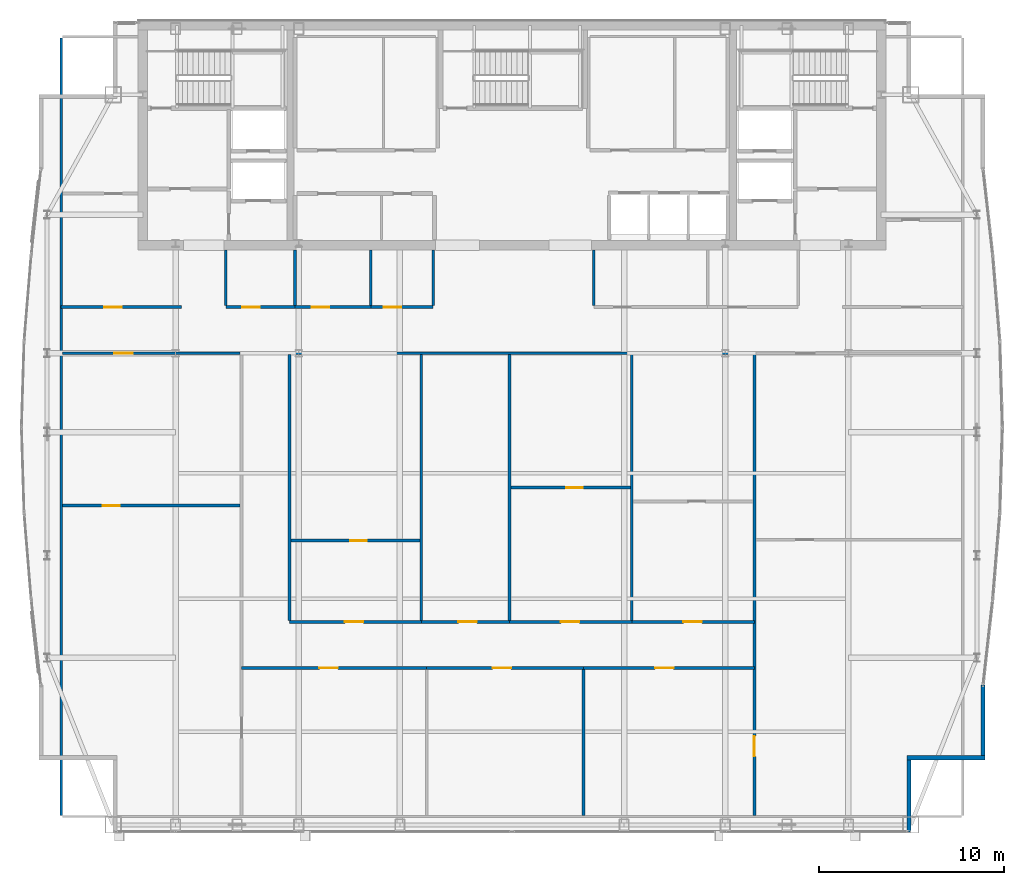
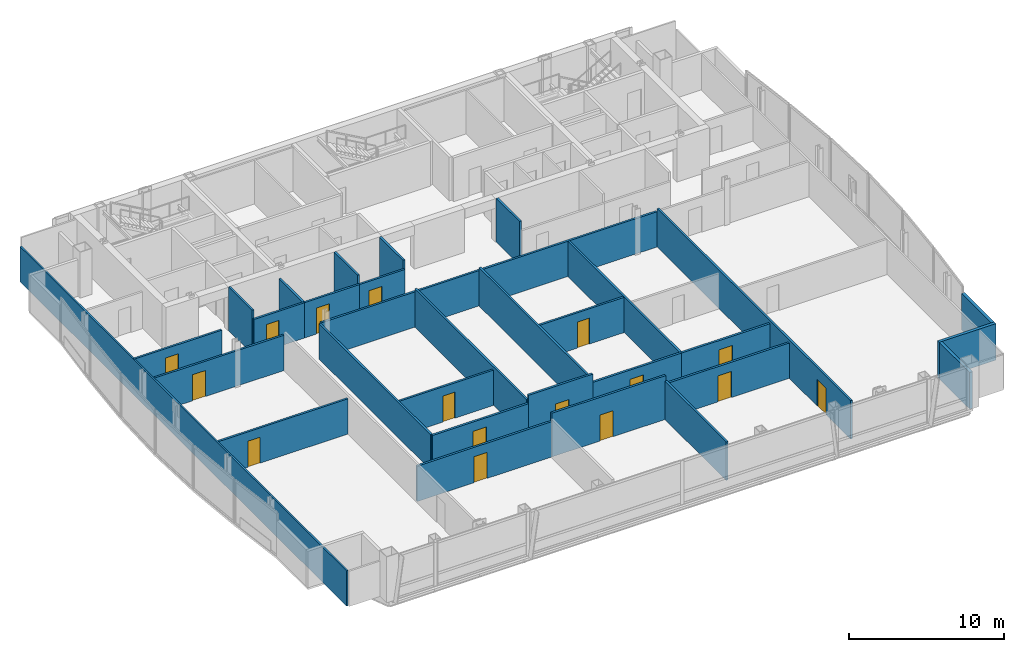
# One storey, part 20 of 25: 31 walls, 16 doors, 16 openings.
"""IFC4 building model written with IfcOpenShell, lengths in metres."""

from ifc_helpers import new_model, si_unit, direction, frame, frame_2d, origin, place, context, subcontext, project, spatial, rectangle, extrude, material, layer, layer_set, type_object, element, fill, save


model = new_model("IFC4")

# Units and contexts
model_context = context("Model", 3, precision=1e-05, world=origin(), true_north=direction((0.0, 1.0)))
body_context = subcontext(model_context, "Body", "Model", "MODEL_VIEW")
ifc_project = project(units=[si_unit("LENGTHUNIT", "METRE"), si_unit("AREAUNIT", "SQUARE_METRE"), si_unit("VOLUMEUNIT", "CUBIC_METRE"), si_unit("PLANEANGLEUNIT", "RADIAN"), si_unit("MASSUNIT", "GRAM", prefix="KILO")], contexts=[model_context])

# Site, building, storey
site_placement = place(None, origin())
site = spatial("IfcSite", under=ifc_project, at=site_placement, CompositionType="ELEMENT")
building_placement = place(site_placement, origin())
building = spatial("IfcBuilding", under=site, at=building_placement, Name="Khoronbel Lancet Exchange", CompositionType="ELEMENT")
storey_placement = place(building_placement, frame((0.0, 0.0, 298.60009765625)))
storey = spatial("IfcBuildingStorey", under=building, at=storey_placement, Name="L77", CompositionType="ELEMENT", Elevation=298.60009765625)

# Walls
ifc_material_1 = material(Name="Precast concrete C40/50", Category="concrete")
ifc_layer_1 = layer(ifc_material_1, 0.25, Name="Precast concrete C40/50")
ifc_layer_set_1 = layer_set([ifc_layer_1], Name="Precast concrete C40/50")
wall_type_1 = type_object("IfcWallType", Name="WL-EXT250", PredefinedType="SOLIDWALL", material=ifc_layer_set_1)
wall_1_placement = place(storey_placement, frame((61.9599609375, 17.72509765625, 0.0), z_axis=(0.0, 0.0, 1.0), x_axis=(0.0, -1.0, 0.0)))
element("IfcWall", 1, at=wall_1_placement, inside=storey, type_object=wall_type_1, Name="Level L77 notched-corner limestone pier 23", PredefinedType="SOLIDWALL", context=body_context, shape_type="SweptSolid", body=[
    extrude(rectangle(XDim=3.8251953125, YDim=0.219970703125, at=frame_2d((1.91259765625, 0.0))), origin(), (0.0, 0.0, 1.0), 2.8798828125),
])
wall_2_placement = place(storey_placement, frame((62.070068359375, 13.7900390625, 0.0), z_axis=(0.0, 0.0, 1.0), x_axis=(-1.0, 0.0, 0.0)))
element("IfcWall", 2, at=wall_2_placement, inside=storey, type_object=wall_type_1, Name="Level L77 notched-corner limestone pier 24", PredefinedType="SOLIDWALL", context=body_context, shape_type="SweptSolid", body=[
    extrude(rectangle(XDim=4.219970703125, YDim=0.219970703125, at=frame_2d((2.10986328125, 0.0))), origin(), (0.0, 0.0, 1.0), 2.8798828125),
])
wall_3_placement = place(storey_placement, frame((57.9599609375, 13.679931640625, 0.0), z_axis=(0.0, 0.0, 1.0), x_axis=(0.0, -1.0, 0.0)))
element("IfcWall", 3, at=wall_3_placement, inside=storey, type_object=wall_type_1, Name="Level L77 notched-corner limestone pier 25", PredefinedType="SOLIDWALL", context=body_context, shape_type="SweptSolid", body=[
    extrude(rectangle(XDim=3.909912109375, YDim=0.219970703125, at=frame_2d((1.955078125, 0.0))), origin(), (0.0, 0.0, 1.0), 2.8798828125),
])
ifc_material_2 = material(Name="Acoustic Metal-Stud & Mineral-Wool Gypsum Partition 120 mm", Category="gypsum")
ifc_layer_2 = layer(ifc_material_2, 0.1201171875, Name="Acoustic Metal-Stud & Mineral-Wool Gypsum Partition 120 mm")
ifc_layer_set_2 = layer_set([ifc_layer_2], Name="Acoustic Metal-Stud & Mineral-Wool Gypsum Partition 120 mm")
wall_type_2 = type_object("IfcWallType", Name="WL-PRT120", PredefinedType="PARTITIONING", material=ifc_layer_set_2)
wall_4_placement = place(storey_placement, frame((20.949951171875, 38.280029296875, 0.0), z_axis=(0.0, 0.0, 1.0), x_axis=(0.0, 1.0, 0.0)))
element("IfcWall", 4, at=wall_4_placement, inside=storey, type_object=wall_type_2, Name="Level L77 interior partition PW-WC-0", PredefinedType="PARTITIONING", context=body_context, shape_type="SweptSolid", body=[
    extrude(rectangle(XDim=3.02001953125, YDim=0.14990234375, at=frame_2d((1.510009765625, 0.0))), origin(), (0.0, 0.0, 1.0), 3.43994140625),
])
wall_5_placement = place(storey_placement, frame((24.699951171875, 38.280029296875, 0.0), z_axis=(0.0, 0.0, 1.0), x_axis=(0.0, 1.0, 0.0)))
element("IfcWall", 5, at=wall_5_placement, inside=storey, type_object=wall_type_2, Name="Level L77 interior partition PW-WC-1", PredefinedType="PARTITIONING", context=body_context, shape_type="SweptSolid", body=[
    extrude(rectangle(XDim=3.02001953125, YDim=0.14990234375, at=frame_2d((1.510009765625, 0.0))), origin(), (0.0, 0.0, 1.0), 2.77978515625),
])
for number, where, z_axis, x_axis, name in (
    (6, (28.800048828125, 38.280029296875, 0.0), (0.0, 0.0, 1.0), (0.0, 1.0, 0.0), "Level L77 interior partition PW-WC-2"),
    (7, (32.179931640625, 38.280029296875, 0.0), (0.0, 0.0, 1.0), (0.0, 1.0, 0.0), "Level L77 interior partition PW-WC-3"),
    (8, (40.8798828125, 38.280029296875, 0.0), (0.0, 0.0, 1.0), (0.0, 1.0, 0.0), "Level L77 interior partition PW-NP-0"),
):
    element("IfcWall", number, at=place(storey_placement, frame(where, z_axis=z_axis, x_axis=x_axis)), inside=storey, type_object=wall_type_2, Name=name, PredefinedType="PARTITIONING", context=body_context, shape_type="SweptSolid", body=[
        extrude(rectangle(XDim=3.02001953125, YDim=0.14990234375, at=frame_2d((1.510009765625, 0.0))), origin(), (0.0, 0.0, 1.0), 3.43994140625),
    ])

# Wall, opening, door
wall_6_placement = place(storey_placement, frame((12.094970703125, 27.449951171875, 0.0), z_axis=(0.0, 0.0, 1.0), x_axis=(1.0, 0.0, 0.0)))
wall_6 = element("IfcWall", 9, at=wall_6_placement, inside=storey, type_object=wall_type_2, Name="Level L77 interior partition PW-Z4-WH", PredefinedType="PARTITIONING", context=body_context, shape_type="SweptSolid", body=[
    extrude(rectangle(XDim=9.625, YDim=0.14990234375, at=frame_2d((4.8125, 0.0))), origin(), (0.0, 0.0, 1.0), 2.77978515625),
])
opening_1_placement = place(wall_6_placement, frame((2.199951171875, 0.0, 0.0)))
opening_1 = element("IfcOpeningElement", 10, at=opening_1_placement, cuts=wall_6, Name="Opening D5", PredefinedType="OPENING", context=body_context, shape_type="SweptSolid", body=[
    extrude(rectangle(XDim=0.89990234375, YDim=2.050048828125, at=frame_2d((0.449951171875, 1.02490234375))), frame((0.0, 0.0849609375, 0.0), z_axis=(0.0, -1.0, 0.0), x_axis=(1.0, 0.0, 0.0)), (0.0, 0.0, 1.0), 0.169921875),
])
ifc_material_3 = material(Name="Acoustic Timber Pantry & Support Door", Category="wood")
door_type_1 = type_object("IfcDoorType", Name="DR-D5", OperationType="NOTDEFINED", PredefinedType="DOOR", material=ifc_material_3)
door_1_placement = place(opening_1_placement, origin())
door_1 = element("IfcDoor", 11, at=door_1_placement, inside=storey, type_object=door_type_1, Name="West lens inner door L77-1", OperationType="SINGLE_SWING_RIGHT", OverallHeight=2.050048828125, OverallWidth=0.89990234375, PredefinedType="DOOR", context=body_context, shape_type="SweptSolid", body=[
    extrude(rectangle(XDim=0.89990234375, YDim=2.050048828125, at=frame_2d((0.449951171875, 1.02490234375))), frame((0.0, 0.02490234375, 0.0), z_axis=(0.0, -1.0, 0.0), x_axis=(1.0, 0.0, 0.0)), (0.0, 0.0, 1.0), 0.050048828125),
])
fill(opening_1, door_1)

wall_7_placement = place(storey_placement, frame((24.47998046875, 25.549560546875, 0.0), z_axis=(0.0, 0.0, 1.0), x_axis=(1.0, 0.0, 0.0)))
wall_7 = element("IfcWall", 12, at=wall_7_placement, inside=storey, type_object=wall_type_2, Name="Level L77 interior partition PW-Z4C-H1", PredefinedType="PARTITIONING", context=body_context, shape_type="SweptSolid", body=[
    extrude(rectangle(XDim=6.97802734375, YDim=0.14990234375, at=frame_2d((3.489013671875, 0.0))), origin(), (0.0, 0.0, 1.0), 2.77978515625),
])
opening_2_placement = place(wall_7_placement, frame((3.212158203125, 0.0, 0.0)))
opening_2 = element("IfcOpeningElement", 13, at=opening_2_placement, cuts=wall_7, Name="Opening D5", PredefinedType="OPENING", context=body_context, shape_type="SweptSolid", body=[
    extrude(rectangle(XDim=0.89990234375, YDim=2.050048828125, at=frame_2d((0.449951171875, 1.02490234375))), frame((0.0, 0.0849609375, 0.0), z_axis=(0.0, -1.0, 0.0), x_axis=(1.0, 0.0, 0.0)), (0.0, 0.0, 1.0), 0.169921875),
])
door_2_placement = place(opening_2_placement, origin())
door_2 = element("IfcDoor", 14, at=door_2_placement, inside=storey, type_object=door_type_1, Name="Z4C inner door 1 L77-1", OperationType="SINGLE_SWING_LEFT", OverallHeight=2.050048828125, OverallWidth=0.89990234375, PredefinedType="DOOR", context=body_context, shape_type="SweptSolid", body=[
    extrude(rectangle(XDim=0.89990234375, YDim=2.050048828125, at=frame_2d((0.449951171875, 1.02490234375))), frame((0.0, 0.02490234375, 0.0), z_axis=(0.0, -1.0, 0.0), x_axis=(1.0, 0.0, 0.0)), (0.0, 0.0, 1.0), 0.050048828125),
])
fill(opening_2, door_2)

wall_8_placement = place(storey_placement, frame((36.398193359375, 28.425048828125, 0.0), z_axis=(0.0, 0.0, 1.0), x_axis=(1.0, 0.0, 0.0)))
wall_8 = element("IfcWall", 15, at=wall_8_placement, inside=storey, type_object=wall_type_2, Name="Level L77 interior partition PW-Z4C-H3", PredefinedType="PARTITIONING", context=body_context, shape_type="SweptSolid", body=[
    extrude(rectangle(XDim=6.462890625, YDim=0.14990234375, at=frame_2d((3.2314453125, 0.0))), origin(), (0.0, 0.0, 1.0), 2.77978515625),
])
opening_3_placement = place(wall_8_placement, frame((2.980224609375, 0.0, 0.0)))
opening_3 = element("IfcOpeningElement", 16, at=opening_3_placement, cuts=wall_8, Name="Opening D5", PredefinedType="OPENING", context=body_context, shape_type="SweptSolid", body=[
    extrude(rectangle(XDim=0.89990234375, YDim=2.050048828125, at=frame_2d((0.449951171875, 1.02490234375))), frame((0.0, 0.0849609375, 0.0), z_axis=(0.0, -1.0, 0.0), x_axis=(1.0, 0.0, 0.0)), (0.0, 0.0, 1.0), 0.169921875),
])
door_3_placement = place(opening_3_placement, origin())
door_3 = element("IfcDoor", 17, at=door_3_placement, inside=storey, type_object=door_type_1, Name="Z4C inner door 3 L77-1", OperationType="SINGLE_SWING_RIGHT", OverallHeight=2.050048828125, OverallWidth=0.89990234375, PredefinedType="DOOR", context=body_context, shape_type="SweptSolid", body=[
    extrude(rectangle(XDim=0.89990234375, YDim=2.050048828125, at=frame_2d((0.449951171875, 1.02490234375))), frame((0.0, 0.02490234375, 0.0), z_axis=(0.0, -1.0, 0.0), x_axis=(1.0, 0.0, 0.0)), (0.0, 0.0, 1.0), 0.050048828125),
])
fill(opening_3, door_3)

# Wall
wall_9_placement = place(storey_placement, frame((12.030029296875, 10.6650390625, 0.0), z_axis=(0.0, 0.0, 1.0), x_axis=(0.0, 1.0, 0.0)))
element("IfcWall", 18, at=wall_9_placement, inside=storey, type_object=wall_type_2, Name="Level L77 interior partition PW-LIN-W", PredefinedType="PARTITIONING", context=body_context, shape_type="SweptSolid", body=[
    extrude(rectangle(XDim=42.10986328125, YDim=0.1201171875, at=frame_2d((21.054931640625, 0.0))), origin(), (0.0, 0.0, 1.0), 2.77978515625),
])

# Wall, opening, door
ifc_material_4 = material(Name="Fire-Rated Twin-Stud Acoustic Gypsum Partition 150 mm", Category="gypsum")
ifc_layer_3 = layer(ifc_material_4, 0.14990234375, Name="Fire-Rated Twin-Stud Acoustic Gypsum Partition 150 mm")
ifc_layer_set_3 = layer_set([ifc_layer_3], Name="Fire-Rated Twin-Stud Acoustic Gypsum Partition 150 mm")
wall_type_3 = type_object("IfcWallType", Name="WL-PRT150C", PredefinedType="PARTITIONING", material=ifc_layer_set_3)
wall_10_placement = place(storey_placement, frame((20.949951171875, 38.199951171875, 0.0), z_axis=(0.0, 0.0, 1.0), x_axis=(1.0, 0.0, 0.0)))
wall_10 = element("IfcWall", 19, at=wall_10_placement, inside=storey, type_object=wall_type_3, Name="Level L77 interior partition PW-WC-S1", PredefinedType="PARTITIONING", context=body_context, shape_type="SweptSolid", body=[
    extrude(rectangle(XDim=3.75, YDim=0.14990234375, at=frame_2d((1.875, 0.0))), origin(), (0.0, 0.0, 1.0), 2.77978515625),
])
opening_4_placement = place(wall_10_placement, frame((0.89990234375, 0.0, 0.0)))
opening_4 = element("IfcOpeningElement", 20, at=opening_4_placement, cuts=wall_10, Name="Opening D4", PredefinedType="OPENING", context=body_context, shape_type="SweptSolid", body=[
    extrude(rectangle(XDim=0.949951171875, YDim=2.050048828125, at=frame_2d((0.47509765625, 1.02490234375))), frame((0.0, 0.0849609375, 0.0), z_axis=(0.0, -1.0, 0.0), x_axis=(1.0, 0.0, 0.0)), (0.0, 0.0, 1.0), 0.169921875),
])
ifc_material_5 = material(Name="Moisture-Resistant HPL Washroom Door", Category="wood")
door_type_2 = type_object("IfcDoorType", Name="DR-D4", OperationType="NOTDEFINED", PredefinedType="DOOR", material=ifc_material_5)
door_4_placement = place(opening_4_placement, origin())
door_4 = element("IfcDoor", 21, at=door_4_placement, inside=storey, type_object=door_type_2, Name="Male washroom door L77-1", OperationType="SINGLE_SWING_LEFT", OverallHeight=2.050048828125, OverallWidth=0.949951171875, PredefinedType="DOOR", context=body_context, shape_type="SweptSolid", body=[
    extrude(rectangle(XDim=0.949951171875, YDim=2.050048828125, at=frame_2d((0.47509765625, 1.02490234375))), frame((0.0, 0.02490234375, 0.0), z_axis=(0.0, -1.0, 0.0), x_axis=(1.0, 0.0, 0.0)), (0.0, 0.0, 1.0), 0.050048828125),
])
fill(opening_4, door_4)

wall_11_placement = place(storey_placement, frame((24.699951171875, 38.199951171875, 0.0), z_axis=(0.0, 0.0, 1.0), x_axis=(1.0, 0.0, 0.0)))
wall_11 = element("IfcWall", 22, at=wall_11_placement, inside=storey, type_object=wall_type_3, Name="Level L77 interior partition PW-WC-S2", PredefinedType="PARTITIONING", context=body_context, shape_type="SweptSolid", body=[
    extrude(rectangle(XDim=4.10009765625, YDim=0.14990234375, at=frame_2d((2.050048828125, 0.0))), origin(), (0.0, 0.0, 1.0), 2.77978515625),
])
opening_5_placement = place(wall_11_placement, frame((0.89990234375, 0.0, 0.0)))
opening_5 = element("IfcOpeningElement", 23, at=opening_5_placement, cuts=wall_11, Name="Opening D4", PredefinedType="OPENING", context=body_context, shape_type="SweptSolid", body=[
    extrude(rectangle(XDim=0.949951171875, YDim=2.050048828125, at=frame_2d((0.47509765625, 1.02490234375))), frame((0.0, 0.0849609375, 0.0), z_axis=(0.0, -1.0, 0.0), x_axis=(1.0, 0.0, 0.0)), (0.0, 0.0, 1.0), 0.169921875),
])
door_5_placement = place(opening_5_placement, origin())
door_5 = element("IfcDoor", 24, at=door_5_placement, inside=storey, type_object=door_type_2, Name="Female washroom door L77-1", OperationType="SINGLE_SWING_RIGHT", OverallHeight=2.050048828125, OverallWidth=0.949951171875, PredefinedType="DOOR", context=body_context, shape_type="SweptSolid", body=[
    extrude(rectangle(XDim=0.949951171875, YDim=2.050048828125, at=frame_2d((0.47509765625, 1.02490234375))), frame((0.0, 0.02490234375, 0.0), z_axis=(0.0, -1.0, 0.0), x_axis=(1.0, 0.0, 0.0)), (0.0, 0.0, 1.0), 0.050048828125),
])
fill(opening_5, door_5)

wall_12_placement = place(storey_placement, frame((28.800048828125, 38.199951171875, 0.0), z_axis=(0.0, 0.0, 1.0), x_axis=(1.0, 0.0, 0.0)))
wall_12 = element("IfcWall", 25, at=wall_12_placement, inside=storey, type_object=wall_type_3, Name="Level L77 interior partition PW-WC-S3", PredefinedType="PARTITIONING", context=body_context, shape_type="SweptSolid", body=[
    extrude(rectangle(XDim=3.3798828125, YDim=0.14990234375, at=frame_2d((1.68994140625, 0.0))), origin(), (0.0, 0.0, 1.0), 2.77978515625),
])
opening_6_placement = place(wall_12_placement, frame((0.699951171875, 0.0, 0.0)))
opening_6 = element("IfcOpeningElement", 26, at=opening_6_placement, cuts=wall_12, Name="Opening D4", PredefinedType="OPENING", context=body_context, shape_type="SweptSolid", body=[
    extrude(rectangle(XDim=0.949951171875, YDim=2.050048828125, at=frame_2d((0.47509765625, 1.02490234375))), frame((0.0, 0.0849609375, 0.0), z_axis=(0.0, -1.0, 0.0), x_axis=(1.0, 0.0, 0.0)), (0.0, 0.0, 1.0), 0.169921875),
])
door_6_placement = place(opening_6_placement, origin())
door_6 = element("IfcDoor", 27, at=door_6_placement, inside=storey, type_object=door_type_2, Name="Accessible WC door L77-1", OperationType="SINGLE_SWING_LEFT", OverallHeight=2.050048828125, OverallWidth=0.949951171875, PredefinedType="DOOR", context=body_context, shape_type="SweptSolid", body=[
    extrude(rectangle(XDim=0.949951171875, YDim=2.050048828125, at=frame_2d((0.47509765625, 1.02490234375))), frame((0.0, 0.02490234375, 0.0), z_axis=(0.0, -1.0, 0.0), x_axis=(1.0, 0.0, 0.0)), (0.0, 0.0, 1.0), 0.050048828125),
])
fill(opening_6, door_6)

wall_13_placement = place(storey_placement, frame((12.030029296875, 38.199951171875, 0.0), z_axis=(0.0, 0.0, 1.0), x_axis=(1.0, 0.0, 0.0)))
wall_13 = element("IfcWall", 28, at=wall_13_placement, inside=storey, type_object=wall_type_3, Name="Level L77 interior partition PW-NW-S", PredefinedType="PARTITIONING", context=body_context, shape_type="SweptSolid", body=[
    extrude(rectangle(XDim=6.52001953125, YDim=0.14990234375, at=frame_2d((3.260009765625, 0.0))), origin(), (0.0, 0.0, 1.0), 2.77978515625),
])
opening_7_placement = place(wall_13_placement, frame((2.320068359375, 0.0, 0.0)))
opening_7 = element("IfcOpeningElement", 29, at=opening_7_placement, cuts=wall_13, Name="Opening D1", PredefinedType="OPENING", context=body_context, shape_type="SweptSolid", body=[
    extrude(rectangle(XDim=0.949951171875, YDim=2.050048828125, at=frame_2d((0.47509765625, 1.02490234375))), frame((0.0, 0.0849609375, 0.0), z_axis=(0.0, -1.0, 0.0), x_axis=(1.0, 0.0, 0.0)), (0.0, 0.0, 1.0), 0.169921875),
])
ifc_material_6 = material(Name="Acoustic Veneered Timber & Bronze Frame Door", Category="wood")
door_type_3 = type_object("IfcDoorType", Name="DR-D1", OperationType="NOTDEFINED", PredefinedType="DOOR", material=ifc_material_6)
door_7_placement = place(opening_7_placement, origin())
door_7 = element("IfcDoor", 30, at=door_7_placement, inside=storey, type_object=door_type_3, Name="NW corner room door L77-1", OperationType="SINGLE_SWING_RIGHT", OverallHeight=2.050048828125, OverallWidth=0.949951171875, PredefinedType="DOOR", context=body_context, shape_type="SweptSolid", body=[
    extrude(rectangle(XDim=0.949951171875, YDim=2.050048828125, at=frame_2d((0.47509765625, 1.02490234375))), frame((0.0, 0.02490234375, 0.0), z_axis=(0.0, -1.0, 0.0), x_axis=(1.0, 0.0, 0.0)), (0.0, 0.0, 1.0), 0.050048828125),
])
fill(opening_7, door_7)

wall_14_placement = place(storey_placement, frame((12.094970703125, 35.699951171875, 0.0), z_axis=(0.0, 0.0, 1.0), x_axis=(1.0, 0.0, 0.0)))
wall_14 = element("IfcWall", 31, at=wall_14_placement, inside=storey, type_object=wall_type_3, Name="Level L77 interior partition PW-Z4-WN", PredefinedType="PARTITIONING", context=body_context, shape_type="SweptSolid", body=[
    extrude(rectangle(XDim=9.625, YDim=0.14990234375, at=frame_2d((4.8125, 0.0))), origin(), (0.0, 0.0, 1.0), 2.77978515625),
])
opening_8_placement = place(wall_14_placement, frame((2.800048828125, 0.0, 0.0)))
opening_8 = element("IfcOpeningElement", 32, at=opening_8_placement, cuts=wall_14, Name="Opening D2", PredefinedType="OPENING", context=body_context, shape_type="SweptSolid", body=[
    extrude(rectangle(XDim=1.0, YDim=2.050048828125, at=frame_2d((0.5, 1.02490234375))), frame((0.0, 0.0849609375, 0.0), z_axis=(0.0, -1.0, 0.0), x_axis=(1.0, 0.0, 0.0)), (0.0, 0.0, 1.0), 0.169921875),
])
door_type_4 = type_object("IfcDoorType", Name="DR-D2", OperationType="NOTDEFINED", PredefinedType="DOOR", material=ifc_material_6)
door_8_placement = place(opening_8_placement, origin())
door_8 = element("IfcDoor", 33, at=door_8_placement, inside=storey, type_object=door_type_4, Name="West lens north door L77-1", OperationType="SINGLE_SWING_LEFT", OverallHeight=2.050048828125, OverallWidth=1.0, PredefinedType="DOOR", context=body_context, shape_type="SweptSolid", body=[
    extrude(rectangle(XDim=1.0, YDim=2.050048828125, at=frame_2d((0.5, 1.02490234375))), frame((0.0, 0.02490234375, 0.0), z_axis=(0.0, -1.0, 0.0), x_axis=(1.0, 0.0, 0.0)), (0.0, 0.0, 1.0), 0.050048828125),
])
fill(opening_8, door_8)

# Wall
wall_15_placement = place(storey_placement, frame((24.39990234375, 21.235107421875, 0.0), z_axis=(0.0, 0.0, 1.0), x_axis=(0.0, 1.0, 0.0)))
element("IfcWall", 34, at=wall_15_placement, inside=storey, type_object=wall_type_3, Name="Level L77 interior partition PW-Z4-WE", PredefinedType="PARTITIONING", context=body_context, shape_type="SweptSolid", body=[
    extrude(rectangle(XDim=14.385009765625, YDim=0.14990234375, at=frame_2d((7.1923828125, 0.0))), origin(), (0.0, 0.0, 1.0), 2.77978515625),
])

# Wall, opening, door
wall_16_placement = place(storey_placement, frame((49.580078125, 10.6650390625, 0.0), z_axis=(0.0, 0.0, 1.0), x_axis=(0.0, 1.0, 0.0)))
wall_16 = element("IfcWall", 35, at=wall_16_placement, inside=storey, type_object=wall_type_3, Name="Level L77 interior partition PW-Z4-PE", PredefinedType="PARTITIONING", context=body_context, shape_type="SweptSolid", body=[
    extrude(rectangle(XDim=24.955078125, YDim=0.14990234375, at=frame_2d((12.4775390625, 0.0))), origin(), (0.0, 0.0, 1.0), 3.02978515625),
])
opening_9_placement = place(wall_16_placement, frame((3.199951171875, 0.0, 0.0)))
opening_9 = element("IfcOpeningElement", 36, at=opening_9_placement, cuts=wall_16, Name="Opening D6", PredefinedType="OPENING", context=body_context, shape_type="SweptSolid", body=[
    extrude(rectangle(XDim=1.10009765625, YDim=2.10009765625, at=frame_2d((0.550048828125, 1.050048828125))), frame((0.0, 0.0849609375, 0.0), z_axis=(0.0, -1.0, 0.0), x_axis=(1.0, 0.0, 0.0)), (0.0, 0.0, 1.0), 0.169921875),
])
ifc_material_7 = material(Name="Acoustic Bronze-Veneer Executive Suite Door", Category="wood")
door_type_5 = type_object("IfcDoorType", Name="DR-D6", OperationType="NOTDEFINED", PredefinedType="DOOR", material=ifc_material_7)
door_9_placement = place(opening_9_placement, origin())
door_9 = element("IfcDoor", 37, at=door_9_placement, inside=storey, type_object=door_type_5, Name="East lens south door L77-1", OperationType="SINGLE_SWING_LEFT", OverallHeight=2.10009765625, OverallWidth=1.10009765625, PredefinedType="DOOR", context=body_context, shape_type="SweptSolid", body=[
    extrude(rectangle(XDim=1.10009765625, YDim=2.10009765625, at=frame_2d((0.550048828125, 1.050048828125))), frame((0.0, 0.02490234375, 0.0), z_axis=(0.0, -1.0, 0.0), x_axis=(1.0, 0.0, 0.0)), (0.0, 0.0, 1.0), 0.050048828125),
])
fill(opening_9, door_9)

# Walls
wall_17_placement = place(storey_placement, frame((24.47998046875, 35.699951171875, 0.0), z_axis=(0.0, 0.0, 1.0), x_axis=(1.0, 0.0, 0.0)))
element("IfcWall", 38, at=wall_17_placement, inside=storey, type_object=wall_type_3, Name="Level L77 interior partition PW-Z4-EN1", PredefinedType="PARTITIONING", context=body_context, shape_type="SweptSolid", body=[
    extrude(rectangle(XDim=25.02001953125, YDim=0.14990234375, at=frame_2d((12.510009765625, 0.0))), origin(), (0.0, 0.0, 1.0), 2.77978515625),
])
for number, where, z_axis, x_axis, name in (
    (39, (31.5380859375, 21.235107421875, 0.0), (0.0, 0.0, 1.0), (0.0, 1.0, 0.0), "Level L77 interior partition PW-Z4C-V1"),
    (40, (36.318115234375, 21.235107421875, 0.0), (0.0, 0.0, 1.0), (0.0, 1.0, 0.0), "Level L77 interior partition PW-Z4C-V2"),
):
    element("IfcWall", number, at=place(storey_placement, frame(where, z_axis=z_axis, x_axis=x_axis)), inside=storey, type_object=wall_type_3, Name=name, PredefinedType="PARTITIONING", context=body_context, shape_type="SweptSolid", body=[
        extrude(rectangle(XDim=14.385009765625, YDim=0.14990234375, at=frame_2d((7.1923828125, 0.0))), origin(), (0.0, 0.0, 1.0), 3.02978515625),
    ])
wall_18_placement = place(storey_placement, frame((42.941162109375, 21.235107421875, 0.0), z_axis=(0.0, 0.0, 1.0), x_axis=(0.0, 1.0, 0.0)))
element("IfcWall", 41, at=wall_18_placement, inside=storey, type_object=wall_type_3, Name="Level L77 interior partition PW-Z4C-V3", PredefinedType="PARTITIONING", context=body_context, shape_type="SweptSolid", body=[
    extrude(rectangle(XDim=14.385009765625, YDim=0.14990234375, at=frame_2d((7.1923828125, 0.0))), origin(), (0.0, 0.0, 1.0), 2.77978515625),
])
wall_19_placement = place(storey_placement, frame((40.320068359375, 10.6650390625, 0.0), z_axis=(0.0, 0.0, 1.0), x_axis=(0.0, 1.0, 0.0)))
element("IfcWall", 42, at=wall_19_placement, inside=storey, type_object=wall_type_3, Name="Level L77 interior partition PW-Z4S-V2", PredefinedType="PARTITIONING", context=body_context, shape_type="SweptSolid", body=[
    extrude(rectangle(XDim=7.89990234375, YDim=0.14990234375, at=frame_2d((3.949951171875, 0.0))), origin(), (0.0, 0.0, 1.0), 3.02978515625),
])

# Wall, opening, door
ifc_material_8 = material(Name="Fire-Rated Twin-Stud Acoustic Gypsum Partition 160 mm", Category="gypsum")
ifc_layer_4 = layer(ifc_material_8, 0.159912109375, Name="Fire-Rated Twin-Stud Acoustic Gypsum Partition 160 mm")
ifc_layer_set_4 = layer_set([ifc_layer_4], Name="Fire-Rated Twin-Stud Acoustic Gypsum Partition 160 mm")
wall_type_4 = type_object("IfcWallType", Name="WL-PRT160C", PredefinedType="PARTITIONING", material=ifc_layer_set_4)
wall_20_placement = place(storey_placement, frame((24.39990234375, 21.14990234375, 0.0), z_axis=(0.0, 0.0, 1.0), x_axis=(1.0, 0.0, 0.0)))
wall_20 = element("IfcWall", 43, at=wall_20_placement, inside=storey, type_object=wall_type_4, Name="Level L77 interior partition PW-Z4C-COR1", PredefinedType="PARTITIONING", context=body_context, shape_type="SweptSolid", body=[
    extrude(rectangle(XDim=7.13818359375, YDim=0.159912109375, at=frame_2d((3.569091796875, 0.0))), origin(), (0.0, 0.0, 1.0), 2.77978515625),
])
opening_10_placement = place(wall_20_placement, frame((2.998046875, 0.0, 0.0)))
opening_10 = element("IfcOpeningElement", 44, at=opening_10_placement, cuts=wall_20, Name="Opening D2", PredefinedType="OPENING", context=body_context, shape_type="SweptSolid", body=[
    extrude(rectangle(XDim=1.0, YDim=2.050048828125, at=frame_2d((0.5, 1.02490234375))), frame((0.0, 0.08984375, 0.0), z_axis=(0.0, -1.0, 0.0), x_axis=(1.0, 0.0, 0.0)), (0.0, 0.0, 1.0), 0.179931640625),
])
door_10_placement = place(opening_10_placement, origin())
door_10 = element("IfcDoor", 45, at=door_10_placement, inside=storey, type_object=door_type_4, Name="Z4C bay 1 door L77-1", OperationType="SINGLE_SWING_RIGHT", OverallHeight=2.050048828125, OverallWidth=1.0, PredefinedType="DOOR", context=body_context, shape_type="SweptSolid", body=[
    extrude(rectangle(XDim=1.0, YDim=2.050048828125, at=frame_2d((0.5, 1.02490234375))), frame((0.0, 0.02490234375, 0.0), z_axis=(0.0, -1.0, 0.0), x_axis=(1.0, 0.0, 0.0)), (0.0, 0.0, 1.0), 0.050048828125),
])
fill(opening_10, door_10)

wall_21_placement = place(storey_placement, frame((31.5380859375, 21.14990234375, 0.0), z_axis=(0.0, 0.0, 1.0), x_axis=(1.0, 0.0, 0.0)))
wall_21 = element("IfcWall", 46, at=wall_21_placement, inside=storey, type_object=wall_type_4, Name="Level L77 interior partition PW-Z4C-COR2", PredefinedType="PARTITIONING", context=body_context, shape_type="SweptSolid", body=[
    extrude(rectangle(XDim=4.780029296875, YDim=0.159912109375, at=frame_2d((2.39013671875, 0.0))), origin(), (0.0, 0.0, 1.0), 3.43994140625),
])
opening_11_placement = place(wall_21_placement, frame((2.007568359375, 0.0, 0.0)))
opening_11 = element("IfcOpeningElement", 47, at=opening_11_placement, cuts=wall_21, Name="Opening D2", PredefinedType="OPENING", context=body_context, shape_type="SweptSolid", body=[
    extrude(rectangle(XDim=1.0, YDim=2.050048828125, at=frame_2d((0.5, 1.02490234375))), frame((0.0, 0.08984375, 0.0), z_axis=(0.0, -1.0, 0.0), x_axis=(1.0, 0.0, 0.0)), (0.0, 0.0, 1.0), 0.179931640625),
])
door_11_placement = place(opening_11_placement, origin())
door_11 = element("IfcDoor", 48, at=door_11_placement, inside=storey, type_object=door_type_4, Name="Z4C bay 2 door L77-1", OperationType="SINGLE_SWING_RIGHT", OverallHeight=2.050048828125, OverallWidth=1.0, PredefinedType="DOOR", context=body_context, shape_type="SweptSolid", body=[
    extrude(rectangle(XDim=1.0, YDim=2.050048828125, at=frame_2d((0.5, 1.02490234375))), frame((0.0, 0.02490234375, 0.0), z_axis=(0.0, -1.0, 0.0), x_axis=(1.0, 0.0, 0.0)), (0.0, 0.0, 1.0), 0.050048828125),
])
fill(opening_11, door_11)

wall_22_placement = place(storey_placement, frame((36.318115234375, 21.14990234375, 0.0), z_axis=(0.0, 0.0, 1.0), x_axis=(1.0, 0.0, 0.0)))
wall_22 = element("IfcWall", 49, at=wall_22_placement, inside=storey, type_object=wall_type_4, Name="Level L77 interior partition PW-Z4C-COR3", PredefinedType="PARTITIONING", context=body_context, shape_type="SweptSolid", body=[
    extrude(rectangle(XDim=6.623046875, YDim=0.159912109375, at=frame_2d((3.3115234375, 0.0))), origin(), (0.0, 0.0, 1.0), 2.77978515625),
])
opening_12_placement = place(wall_22_placement, frame((2.78173828125, 0.0, 0.0)))
opening_12 = element("IfcOpeningElement", 50, at=opening_12_placement, cuts=wall_22, Name="Opening D2", PredefinedType="OPENING", context=body_context, shape_type="SweptSolid", body=[
    extrude(rectangle(XDim=1.0, YDim=2.050048828125, at=frame_2d((0.5, 1.02490234375))), frame((0.0, 0.08984375, 0.0), z_axis=(0.0, -1.0, 0.0), x_axis=(1.0, 0.0, 0.0)), (0.0, 0.0, 1.0), 0.179931640625),
])
door_12_placement = place(opening_12_placement, origin())
door_12 = element("IfcDoor", 51, at=door_12_placement, inside=storey, type_object=door_type_4, Name="Z4C bay 3 door L77-1", OperationType="SINGLE_SWING_LEFT", OverallHeight=2.050048828125, OverallWidth=1.0, PredefinedType="DOOR", context=body_context, shape_type="SweptSolid", body=[
    extrude(rectangle(XDim=1.0, YDim=2.050048828125, at=frame_2d((0.5, 1.02490234375))), frame((0.0, 0.02490234375, 0.0), z_axis=(0.0, -1.0, 0.0), x_axis=(1.0, 0.0, 0.0)), (0.0, 0.0, 1.0), 0.050048828125),
])
fill(opening_12, door_12)

wall_23_placement = place(storey_placement, frame((42.941162109375, 21.14990234375, 0.0), z_axis=(0.0, 0.0, 1.0), x_axis=(1.0, 0.0, 0.0)))
wall_23 = element("IfcWall", 52, at=wall_23_placement, inside=storey, type_object=wall_type_4, Name="Level L77 interior partition PW-Z4C-COR4", PredefinedType="PARTITIONING", context=body_context, shape_type="SweptSolid", body=[
    extrude(rectangle(XDim=6.638916015625, YDim=0.159912109375, at=frame_2d((3.3193359375, 0.0))), origin(), (0.0, 0.0, 1.0), 2.77978515625),
])
opening_13_placement = place(wall_23_placement, frame((2.788330078125, 0.0, 0.0)))
opening_13 = element("IfcOpeningElement", 53, at=opening_13_placement, cuts=wall_23, Name="Opening D2", PredefinedType="OPENING", context=body_context, shape_type="SweptSolid", body=[
    extrude(rectangle(XDim=1.0, YDim=2.050048828125, at=frame_2d((0.5, 1.02490234375))), frame((0.0, 0.08984375, 0.0), z_axis=(0.0, -1.0, 0.0), x_axis=(1.0, 0.0, 0.0)), (0.0, 0.0, 1.0), 0.179931640625),
])
door_13_placement = place(opening_13_placement, origin())
door_13 = element("IfcDoor", 54, at=door_13_placement, inside=storey, type_object=door_type_4, Name="Z4C bay 4 door L77-1", OperationType="SINGLE_SWING_LEFT", OverallHeight=2.050048828125, OverallWidth=1.0, PredefinedType="DOOR", context=body_context, shape_type="SweptSolid", body=[
    extrude(rectangle(XDim=1.0, YDim=2.050048828125, at=frame_2d((0.5, 1.02490234375))), frame((0.0, 0.02490234375, 0.0), z_axis=(0.0, -1.0, 0.0), x_axis=(1.0, 0.0, 0.0)), (0.0, 0.0, 1.0), 0.050048828125),
])
fill(opening_13, door_13)

wall_24_placement = place(storey_placement, frame((21.800048828125, 18.64990234375, 0.0), z_axis=(0.0, 0.0, 1.0), x_axis=(1.0, 0.0, 0.0)))
wall_24 = element("IfcWall", 55, at=wall_24_placement, inside=storey, type_object=wall_type_4, Name="Level L77 interior partition PW-Z4S-COR1", PredefinedType="PARTITIONING", context=body_context, shape_type="SweptSolid", body=[
    extrude(rectangle(XDim=10.03173828125, YDim=0.159912109375, at=frame_2d((5.015869140625, 0.0))), origin(), (0.0, 0.0, 1.0), 2.77978515625),
])
opening_14_placement = place(wall_24_placement, frame((4.21337890625, 0.0, 0.0)))
opening_14 = element("IfcOpeningElement", 56, at=opening_14_placement, cuts=wall_24, Name="Opening D2", PredefinedType="OPENING", context=body_context, shape_type="SweptSolid", body=[
    extrude(rectangle(XDim=1.0, YDim=2.050048828125, at=frame_2d((0.5, 1.02490234375))), frame((0.0, 0.08984375, 0.0), z_axis=(0.0, -1.0, 0.0), x_axis=(1.0, 0.0, 0.0)), (0.0, 0.0, 1.0), 0.179931640625),
])
door_14_placement = place(opening_14_placement, origin())
door_14 = element("IfcDoor", 57, at=door_14_placement, inside=storey, type_object=door_type_4, Name="Z4S bay 1 door L77-1", OperationType="SINGLE_SWING_LEFT", OverallHeight=2.050048828125, OverallWidth=1.0, PredefinedType="DOOR", context=body_context, shape_type="SweptSolid", body=[
    extrude(rectangle(XDim=1.0, YDim=2.050048828125, at=frame_2d((0.5, 1.02490234375))), frame((0.0, 0.02490234375, 0.0), z_axis=(0.0, -1.0, 0.0), x_axis=(1.0, 0.0, 0.0)), (0.0, 0.0, 1.0), 0.050048828125),
])
fill(opening_14, door_14)

wall_25_placement = place(storey_placement, frame((31.831787109375, 18.64990234375, 0.0), z_axis=(0.0, 0.0, 1.0), x_axis=(1.0, 0.0, 0.0)))
wall_25 = element("IfcWall", 58, at=wall_25_placement, inside=storey, type_object=wall_type_4, Name="Level L77 interior partition PW-Z4S-COR2", PredefinedType="PARTITIONING", context=body_context, shape_type="SweptSolid", body=[
    extrude(rectangle(XDim=8.48828125, YDim=0.159912109375, at=frame_2d((4.244140625, 0.0))), origin(), (0.0, 0.0, 1.0), 3.43994140625),
])
opening_15_placement = place(wall_25_placement, frame((3.565185546875, 0.0, 0.0)))
opening_15 = element("IfcOpeningElement", 59, at=opening_15_placement, cuts=wall_25, Name="Opening D2", PredefinedType="OPENING", context=body_context, shape_type="SweptSolid", body=[
    extrude(rectangle(XDim=1.0, YDim=2.050048828125, at=frame_2d((0.5, 1.02490234375))), frame((0.0, 0.08984375, 0.0), z_axis=(0.0, -1.0, 0.0), x_axis=(1.0, 0.0, 0.0)), (0.0, 0.0, 1.0), 0.179931640625),
])
door_15_placement = place(opening_15_placement, origin())
door_15 = element("IfcDoor", 60, at=door_15_placement, inside=storey, type_object=door_type_4, Name="Z4S bay 2 door L77-1", OperationType="SINGLE_SWING_RIGHT", OverallHeight=2.050048828125, OverallWidth=1.0, PredefinedType="DOOR", context=body_context, shape_type="SweptSolid", body=[
    extrude(rectangle(XDim=1.0, YDim=2.050048828125, at=frame_2d((0.5, 1.02490234375))), frame((0.0, 0.02490234375, 0.0), z_axis=(0.0, -1.0, 0.0), x_axis=(1.0, 0.0, 0.0)), (0.0, 0.0, 1.0), 0.050048828125),
])
fill(opening_15, door_15)

wall_26_placement = place(storey_placement, frame((40.320068359375, 18.64990234375, 0.0), z_axis=(0.0, 0.0, 1.0), x_axis=(1.0, 0.0, 0.0)))
wall_26 = element("IfcWall", 61, at=wall_26_placement, inside=storey, type_object=wall_type_4, Name="Level L77 interior partition PW-Z4S-COR3", PredefinedType="PARTITIONING", context=body_context, shape_type="SweptSolid", body=[
    extrude(rectangle(XDim=9.260009765625, YDim=0.159912109375, at=frame_2d((4.6298828125, 0.0))), origin(), (0.0, 0.0, 1.0), 2.77978515625),
])
opening_16_placement = place(wall_26_placement, frame((3.88916015625, 0.0, 0.0)))
opening_16 = element("IfcOpeningElement", 62, at=opening_16_placement, cuts=wall_26, Name="Opening D2", PredefinedType="OPENING", context=body_context, shape_type="SweptSolid", body=[
    extrude(rectangle(XDim=1.0, YDim=2.050048828125, at=frame_2d((0.5, 1.02490234375))), frame((0.0, 0.08984375, 0.0), z_axis=(0.0, -1.0, 0.0), x_axis=(1.0, 0.0, 0.0)), (0.0, 0.0, 1.0), 0.179931640625),
])
door_16_placement = place(opening_16_placement, origin())
door_16 = element("IfcDoor", 63, at=door_16_placement, inside=storey, type_object=door_type_4, Name="Z4S bay 3 door L77-1", OperationType="SINGLE_SWING_LEFT", OverallHeight=2.050048828125, OverallWidth=1.0, PredefinedType="DOOR", context=body_context, shape_type="SweptSolid", body=[
    extrude(rectangle(XDim=1.0, YDim=2.050048828125, at=frame_2d((0.5, 1.02490234375))), frame((0.0, 0.02490234375, 0.0), z_axis=(0.0, -1.0, 0.0), x_axis=(1.0, 0.0, 0.0)), (0.0, 0.0, 1.0), 0.050048828125),
])
fill(opening_16, door_16)

save(model, "model.ifc")
